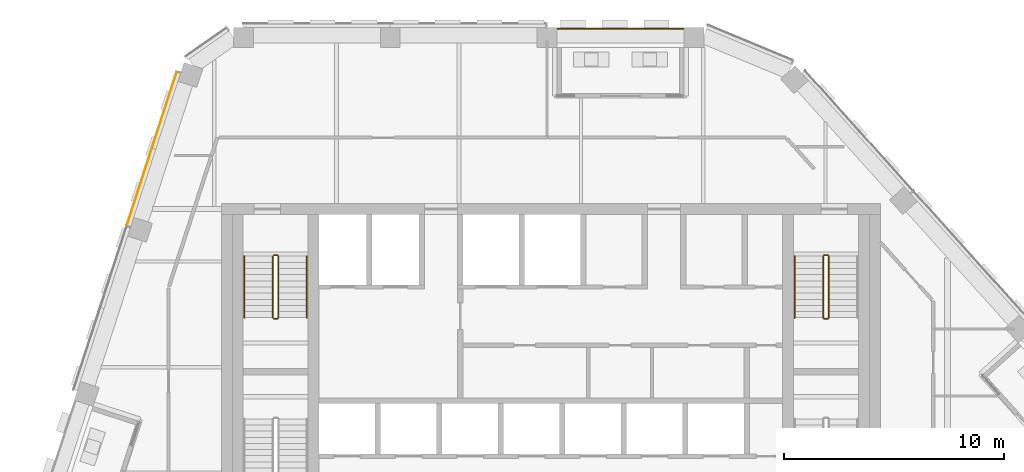
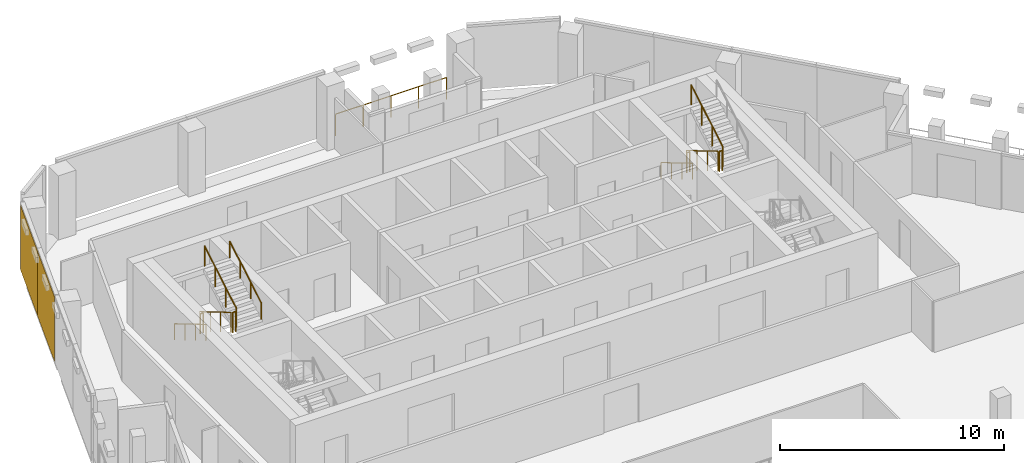
# One storey, part 20 of 22: 12 railings, 2 coverings, 1 element without a shape of its own.
"""IFC4 building model written with IfcOpenShell, lengths in metres."""

from ifc_helpers import new_model, si_unit, direction, frame, origin, origin_2d, place, context, subcontext, project, spatial, rectangle, circle, extrude, material, layer, layer_set, type_object, element, aggregate, save


model = new_model("IFC4")

# Units and contexts
model_context = context("Model", 3, precision=1e-05, world=origin(), true_north=direction((0.0, 1.0)))
body_context = subcontext(model_context, "Body", "Model", "MODEL_VIEW")
ifc_project = project(units=[si_unit("LENGTHUNIT", "METRE"), si_unit("AREAUNIT", "SQUARE_METRE"), si_unit("VOLUMEUNIT", "CUBIC_METRE"), si_unit("PLANEANGLEUNIT", "RADIAN"), si_unit("MASSUNIT", "GRAM", prefix="KILO")], contexts=[model_context])

# Site, building, storey
site_placement = place(None, origin())
site = spatial("IfcSite", under=ifc_project, at=site_placement, CompositionType="ELEMENT")
building_placement = place(site_placement, origin())
building = spatial("IfcBuilding", under=site, at=building_placement, Name="Isthmus Gate Tower", CompositionType="ELEMENT")
storey_placement = place(building_placement, frame((0.0, 0.0, 264.60009765625)))
storey = spatial("IfcBuildingStorey", under=building, at=storey_placement, Name="L67", CompositionType="ELEMENT", Elevation=264.60009765625)

# Curtain wall, coverings
ifc_material_1 = material(Name="Aluminium, pale champagne anodised", Category="aluminium")
ifc_layer_1 = layer(ifc_material_1, 0.199951171875)
ifc_layer_set_1 = layer_set([ifc_layer_1], Name="CW-1 UNITISED CURTAIN WALL 200 DEEP")
curtain_wall_type = type_object("IfcCurtainWallType", Name="CW-1 UNITISED CURTAIN WALL 200 DEEP", PredefinedType="NOTDEFINED", material=ifc_layer_set_1)
curtain_wall_placement = place(storey_placement, origin())
curtain_wall = element("IfcCurtainWall", 1, at=curtain_wall_placement, inside=storey, type_object=curtain_wall_type, Name="CW-1 NW L67", PredefinedType="NOTDEFINED")
ifc_material_2 = material(Name="Aluminium composite panel, pale champagne anodised", Category="aluminium")
ifc_layer_2 = layer(ifc_material_2, 0.031982421875)
ifc_layer_set_2 = layer_set([ifc_layer_2], Name="CW-1 PALE METAL PANEL 32")
covering_type = type_object("IfcCoveringType", Name="CW-1 PALE METAL PANEL 32", PredefinedType="CLADDING", material=ifc_layer_set_2)
covering_1_placement = place(storey_placement, frame((-17.592529296875, 19.254150390625, 0.0), z_axis=(0.0, 0.0, 1.0), x_axis=(-0.309016994375, -0.951056516295, 0.0)))
covering_1 = element("IfcCovering", 2, at=covering_1_placement, type_object=covering_type, Name="CW-1 pale metal panel", PredefinedType="CLADDING", context=body_context, shape_type="SweptSolid", body=[
    extrude(rectangle(XDim=3.643310546875, YDim=0.031982421875, at=origin_2d()), origin(), (0.0, 0.0, 1.0), 3.52001953125),
])
covering_2_placement = place(storey_placement, frame((-18.727783203125, 15.760498046875, 0.0), z_axis=(0.0, 0.0, 1.0), x_axis=(-0.309016994375, -0.951056516295, 0.0)))
covering_2 = element("IfcCovering", 3, at=covering_2_placement, type_object=covering_type, Name="CW-1 pale metal panel", PredefinedType="CLADDING", context=body_context, shape_type="SweptSolid", body=[
    extrude(rectangle(XDim=3.703369140625, YDim=0.031982421875, at=origin_2d()), origin(), (0.0, 0.0, 1.0), 3.52001953125),
])
aggregate(curtain_wall, [covering_1, covering_2])

# Railings
ifc_material_3 = material(Name="Toughened laminated glass with stainless steel posts", Category="steel")
railing_type_1 = type_object("IfcRailingType", Name="GUARD 1200 FRAMELESS GLASS", PredefinedType="GUARDRAIL", material=ifc_material_3)
railing_1_placement = place(storey_placement, frame((6.01953125, 22.949951171875, 0.0)))
element("IfcRailing", 4, at=railing_1_placement, inside=storey, type_object=railing_type_1, Name="LOGGIA GUARD", PredefinedType="GUARDRAIL", context=body_context, shape_type="SweptSolid", body=[
    extrude(circle(Radius=0.02490234375, at=origin_2d()), frame((0.0, 0.0, 1.1748046875), z_axis=(-1.0, 0.0, 0.0), x_axis=(0.0, -1.0, 0.0)), (0.0, 0.0, 1.0), 5.70458984375),
    extrude(circle(Radius=0.02490234375, at=origin_2d()), origin(), (0.0, 0.0, 1.0), 1.14990234375),
    extrude(circle(Radius=0.02490234375, at=origin_2d()), frame((-1.42626953125, 0.0, 0.0)), (0.0, 0.0, 1.0), 1.14990234375),
    extrude(circle(Radius=0.02490234375, at=origin_2d()), frame((-2.852294921875, 0.0, 0.0)), (0.0, 0.0, 1.0), 1.14990234375),
    extrude(circle(Radius=0.02490234375, at=origin_2d()), frame((-4.2783203125, 0.0, 0.0)), (0.0, 0.0, 1.0), 1.14990234375),
    extrude(circle(Radius=0.02490234375, at=origin_2d()), frame((-5.70458984375, 0.0, 0.0)), (0.0, 0.0, 1.0), 1.14990234375),
])
ifc_material_4 = material(Name="Stainless steel balustrade", Category="steel")
railing_type_2 = type_object("IfcRailingType", Name="STAIR GUARD 1100", PredefinedType="GUARDRAIL", material=ifc_material_4)
railing_2_placement = place(storey_placement, frame((-12.64990234375, 12.60009765625, 0.165771484375)))
element("IfcRailing", 5, at=railing_2_placement, inside=storey, type_object=railing_type_2, Name="L67 ST1 stair guard 1", PredefinedType="GUARDRAIL", context=body_context, shape_type="SweptSolid", body=[
    extrude(circle(Radius=0.02392578125, at=origin_2d()), frame((0.0, 0.0, 1.076171875), z_axis=(0.0, -0.860306154799, 0.50977771628), x_axis=(1.0, 0.0, 0.0)), (0.0, 0.0, 1.0), 3.254638671875),
    extrude(circle(Radius=0.02099609375, at=origin_2d()), origin(), (0.0, 0.0, 1.0), 1.052001953125),
    extrude(circle(Radius=0.02099609375, at=origin_2d()), frame((0.0, -0.933349609375, 0.552978515625)), (0.0, 0.0, 1.0), 1.052001953125),
    extrude(circle(Radius=0.02099609375, at=origin_2d()), frame((0.0, -1.86669921875, 1.106201171875)), (0.0, 0.0, 1.0), 1.052001953125),
    extrude(circle(Radius=0.02099609375, at=origin_2d()), frame((0.0, -2.800048828125, 1.6591796875)), (0.0, 0.0, 1.0), 1.052001953125),
])
railing_3_placement = place(storey_placement, frame((-12.60009765625, 9.75, 1.824951171875)))
element("IfcRailing", 6, at=railing_3_placement, inside=storey, type_object=railing_type_2, Name="L67 ST1 stair guard 2", PredefinedType="GUARDRAIL", context=body_context, shape_type="SweptSolid", body=[
    extrude(circle(Radius=0.02392578125, at=origin_2d()), frame((0.0, 0.0, 1.076171875), z_axis=(1.0, 0.0, 0.0), x_axis=(0.0, 1.0, 0.0)), (0.0, 0.0, 1.0), 0.150146484375),
    extrude(circle(Radius=0.02099609375, at=origin_2d()), origin(), (0.0, 0.0, 1.0), 1.052001953125),
    extrude(circle(Radius=0.02099609375, at=origin_2d()), frame((0.150146484375, 0.0, 0.0)), (0.0, 0.0, 1.0), 1.052001953125),
])
railing_4_placement = place(storey_placement, frame((-12.39990234375, 9.800048828125, 1.99072265625)))
element("IfcRailing", 7, at=railing_4_placement, inside=storey, type_object=railing_type_2, Name="L67 ST1 stair guard 3", PredefinedType="GUARDRAIL", context=body_context, shape_type="SweptSolid", body=[
    extrude(circle(Radius=0.02392578125, at=origin_2d()), frame((0.0, 0.0, 1.076171875), z_axis=(0.0, 0.860306154799, 0.50977771628), x_axis=(-1.0, 0.0, 0.0)), (0.0, 0.0, 1.0), 3.254638671875),
    extrude(circle(Radius=0.02099609375, at=origin_2d()), origin(), (0.0, 0.0, 1.0), 1.052001953125),
    extrude(circle(Radius=0.02099609375, at=origin_2d()), frame((0.0, 0.933349609375, 0.552978515625)), (0.0, 0.0, 1.0), 1.052001953125),
    extrude(circle(Radius=0.02099609375, at=origin_2d()), frame((0.0, 1.86669921875, 1.106201171875)), (0.0, 0.0, 1.0), 1.052001953125),
    extrude(circle(Radius=0.02099609375, at=origin_2d()), frame((0.0, 2.800048828125, 1.6591796875)), (0.0, 0.0, 1.0), 1.052001953125),
])
railing_5_placement = place(storey_placement, frame((-12.60009765625, 12.64990234375, 0.0)))
element("IfcRailing", 8, at=railing_5_placement, inside=storey, type_object=railing_type_2, Name="L67 ST1 stair guard 4", PredefinedType="GUARDRAIL", context=body_context, shape_type="SweptSolid", body=[
    extrude(circle(Radius=0.02392578125, at=origin_2d()), frame((0.0, 0.0, 1.076171875), z_axis=(1.0, 0.0, 0.0), x_axis=(0.0, 1.0, 0.0)), (0.0, 0.0, 1.0), 0.150146484375),
    extrude(circle(Radius=0.02099609375, at=origin_2d()), origin(), (0.0, 0.0, 1.0), 1.052001953125),
    extrude(circle(Radius=0.02099609375, at=origin_2d()), frame((0.150146484375, 0.0, 0.0)), (0.0, 0.0, 1.0), 1.052001953125),
])
railing_6_placement = place(storey_placement, frame((12.39990234375, 12.60009765625, 0.165771484375)))
element("IfcRailing", 9, at=railing_6_placement, inside=storey, type_object=railing_type_2, Name="L67 ST2 stair guard 1", PredefinedType="GUARDRAIL", context=body_context, shape_type="SweptSolid", body=[
    extrude(circle(Radius=0.02392578125, at=origin_2d()), frame((0.0, 0.0, 1.076171875), z_axis=(0.0, -0.860306154799, 0.50977771628), x_axis=(1.0, 0.0, 0.0)), (0.0, 0.0, 1.0), 3.254638671875),
    extrude(circle(Radius=0.02099609375, at=origin_2d()), origin(), (0.0, 0.0, 1.0), 1.052001953125),
    extrude(circle(Radius=0.02099609375, at=origin_2d()), frame((0.0, -0.933349609375, 0.552978515625)), (0.0, 0.0, 1.0), 1.052001953125),
    extrude(circle(Radius=0.02099609375, at=origin_2d()), frame((0.0, -1.86669921875, 1.106201171875)), (0.0, 0.0, 1.0), 1.052001953125),
    extrude(circle(Radius=0.02099609375, at=origin_2d()), frame((0.0, -2.800048828125, 1.6591796875)), (0.0, 0.0, 1.0), 1.052001953125),
])
railing_7_placement = place(storey_placement, frame((12.449951171875, 9.75, 1.824951171875)))
element("IfcRailing", 10, at=railing_7_placement, inside=storey, type_object=railing_type_2, Name="L67 ST2 stair guard 2", PredefinedType="GUARDRAIL", context=body_context, shape_type="SweptSolid", body=[
    extrude(circle(Radius=0.02392578125, at=origin_2d()), frame((0.0, 0.0, 1.076171875), z_axis=(1.0, 0.0, 0.0), x_axis=(0.0, 1.0, 0.0)), (0.0, 0.0, 1.0), 0.150146484375),
    extrude(circle(Radius=0.02099609375, at=origin_2d()), origin(), (0.0, 0.0, 1.0), 1.052001953125),
    extrude(circle(Radius=0.02099609375, at=origin_2d()), frame((0.150146484375, 0.0, 0.0)), (0.0, 0.0, 1.0), 1.052001953125),
])
railing_8_placement = place(storey_placement, frame((12.64990234375, 9.800048828125, 1.99072265625)))
element("IfcRailing", 11, at=railing_8_placement, inside=storey, type_object=railing_type_2, Name="L67 ST2 stair guard 3", PredefinedType="GUARDRAIL", context=body_context, shape_type="SweptSolid", body=[
    extrude(circle(Radius=0.02392578125, at=origin_2d()), frame((0.0, 0.0, 1.076171875), z_axis=(0.0, 0.860306154799, 0.50977771628), x_axis=(-1.0, 0.0, 0.0)), (0.0, 0.0, 1.0), 3.254638671875),
    extrude(circle(Radius=0.02099609375, at=origin_2d()), origin(), (0.0, 0.0, 1.0), 1.052001953125),
    extrude(circle(Radius=0.02099609375, at=origin_2d()), frame((0.0, 0.933349609375, 0.552978515625)), (0.0, 0.0, 1.0), 1.052001953125),
    extrude(circle(Radius=0.02099609375, at=origin_2d()), frame((0.0, 1.86669921875, 1.106201171875)), (0.0, 0.0, 1.0), 1.052001953125),
    extrude(circle(Radius=0.02099609375, at=origin_2d()), frame((0.0, 2.800048828125, 1.6591796875)), (0.0, 0.0, 1.0), 1.052001953125),
])
railing_9_placement = place(storey_placement, frame((12.449951171875, 12.64990234375, 0.0)))
element("IfcRailing", 12, at=railing_9_placement, inside=storey, type_object=railing_type_2, Name="L67 ST2 stair guard 4", PredefinedType="GUARDRAIL", context=body_context, shape_type="SweptSolid", body=[
    extrude(circle(Radius=0.02392578125, at=origin_2d()), frame((0.0, 0.0, 1.076171875), z_axis=(1.0, 0.0, 0.0), x_axis=(0.0, 1.0, 0.0)), (0.0, 0.0, 1.0), 0.150146484375),
    extrude(circle(Radius=0.02099609375, at=origin_2d()), origin(), (0.0, 0.0, 1.0), 1.052001953125),
    extrude(circle(Radius=0.02099609375, at=origin_2d()), frame((0.150146484375, 0.0, 0.0)), (0.0, 0.0, 1.0), 1.052001953125),
])
ifc_material_5 = material(Name="Stainless steel handrail", Category="steel")
railing_type_3 = type_object("IfcRailingType", Name="STAIR HANDRAIL 900", PredefinedType="HANDRAIL", material=ifc_material_5)
railing_10_placement = place(storey_placement, frame((-13.949951171875, 12.60009765625, 0.165771484375)))
element("IfcRailing", 13, at=railing_10_placement, inside=storey, type_object=railing_type_3, Name="L67 ST1 stair handrail 1", PredefinedType="HANDRAIL", context=body_context, shape_type="SweptSolid", body=[
    extrude(circle(Radius=0.02392578125, at=origin_2d()), frame((0.0, 0.0, 0.8759765625), z_axis=(0.0, -0.860306154799, 0.50977771628), x_axis=(1.0, 0.0, 0.0)), (0.0, 0.0, 1.0), 3.254638671875),
    extrude(circle(Radius=0.02099609375, at=origin_2d()), origin(), (0.0, 0.0, 1.0), 0.851806640625),
    extrude(circle(Radius=0.02099609375, at=origin_2d()), frame((0.0, -0.933349609375, 0.552978515625)), (0.0, 0.0, 1.0), 0.851806640625),
    extrude(circle(Radius=0.02099609375, at=origin_2d()), frame((0.0, -1.86669921875, 1.106201171875)), (0.0, 0.0, 1.0), 0.851806640625),
    extrude(circle(Radius=0.02099609375, at=origin_2d()), frame((0.0, -2.800048828125, 1.6591796875)), (0.0, 0.0, 1.0), 0.851806640625),
])
railing_11_placement = place(storey_placement, frame((-11.10009765625, 9.800048828125, 1.99072265625)))
element("IfcRailing", 14, at=railing_11_placement, inside=storey, type_object=railing_type_3, Name="L67 ST1 stair handrail 2", PredefinedType="HANDRAIL", context=body_context, shape_type="SweptSolid", body=[
    extrude(circle(Radius=0.02392578125, at=origin_2d()), frame((0.0, 0.0, 0.8759765625), z_axis=(0.0, 0.860306154799, 0.50977771628), x_axis=(-1.0, 0.0, 0.0)), (0.0, 0.0, 1.0), 3.254638671875),
    extrude(circle(Radius=0.02099609375, at=origin_2d()), origin(), (0.0, 0.0, 1.0), 0.851806640625),
    extrude(circle(Radius=0.02099609375, at=origin_2d()), frame((0.0, 0.933349609375, 0.552978515625)), (0.0, 0.0, 1.0), 0.851806640625),
    extrude(circle(Radius=0.02099609375, at=origin_2d()), frame((0.0, 1.86669921875, 1.106201171875)), (0.0, 0.0, 1.0), 0.851806640625),
    extrude(circle(Radius=0.02099609375, at=origin_2d()), frame((0.0, 2.800048828125, 1.6591796875)), (0.0, 0.0, 1.0), 0.851806640625),
])
railing_12_placement = place(storey_placement, frame((11.10009765625, 12.60009765625, 0.165771484375)))
element("IfcRailing", 15, at=railing_12_placement, inside=storey, type_object=railing_type_3, Name="L67 ST2 stair handrail 1", PredefinedType="HANDRAIL", context=body_context, shape_type="SweptSolid", body=[
    extrude(circle(Radius=0.02392578125, at=origin_2d()), frame((0.0, 0.0, 0.8759765625), z_axis=(0.0, -0.860306154799, 0.50977771628), x_axis=(1.0, 0.0, 0.0)), (0.0, 0.0, 1.0), 3.254638671875),
    extrude(circle(Radius=0.02099609375, at=origin_2d()), origin(), (0.0, 0.0, 1.0), 0.851806640625),
    extrude(circle(Radius=0.02099609375, at=origin_2d()), frame((0.0, -0.933349609375, 0.552978515625)), (0.0, 0.0, 1.0), 0.851806640625),
    extrude(circle(Radius=0.02099609375, at=origin_2d()), frame((0.0, -1.86669921875, 1.106201171875)), (0.0, 0.0, 1.0), 0.851806640625),
    extrude(circle(Radius=0.02099609375, at=origin_2d()), frame((0.0, -2.800048828125, 1.6591796875)), (0.0, 0.0, 1.0), 0.851806640625),
])

save(model, "model.ifc")
